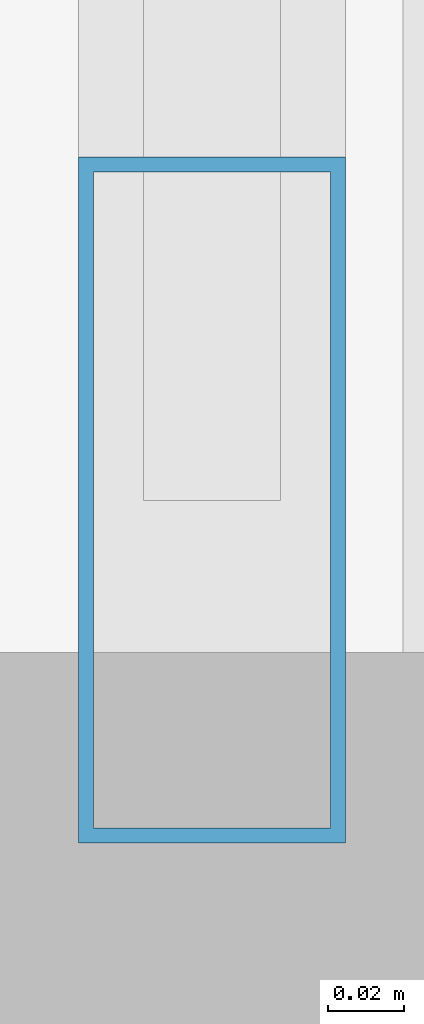
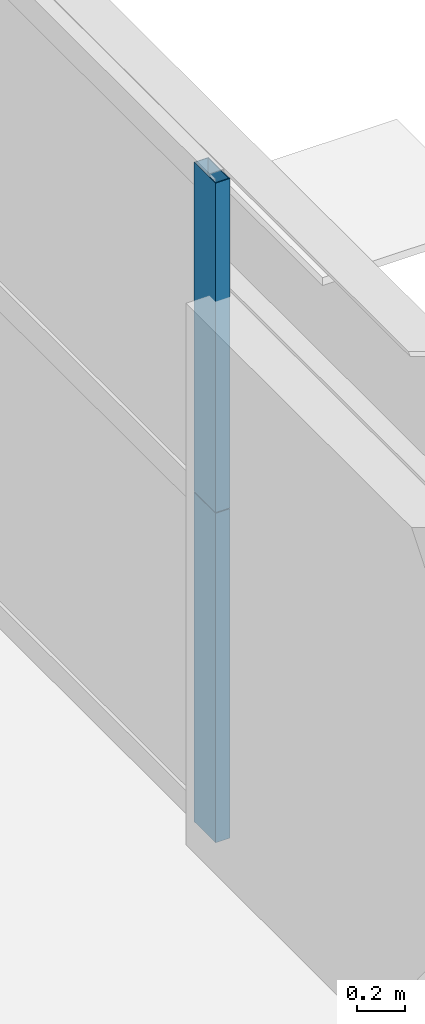
# One storey, part 17 of 43: 2 members, 1 element without a shape of its own.
"""IFC4 building model written with IfcOpenShell, lengths in metres."""

from ifc_helpers import new_model, si_unit, direction, frame, origin, origin_2d, place, context, subcontext, project, spatial, hollow_rectangle, extrude, source, transform, mapped, material, layer, layer_set, material_profile, profile_set, type_object, element, aggregate, save


model = new_model("IFC4")

# Units and contexts
model_context = context("Model", 3, precision=1e-05, world=origin(), true_north=direction((0.0, 1.0)))
body_context = subcontext(model_context, "Body", "Model", "MODEL_VIEW")
ifc_project = project(units=[si_unit("LENGTHUNIT", "METRE"), si_unit("AREAUNIT", "SQUARE_METRE"), si_unit("VOLUMEUNIT", "CUBIC_METRE"), si_unit("PLANEANGLEUNIT", "RADIAN"), si_unit("MASSUNIT", "GRAM", prefix="KILO"), si_unit("THERMODYNAMICTEMPERATUREUNIT", "KELVIN"), si_unit("POWERUNIT", "WATT")], contexts=[model_context])

# Site, building, storey
site_placement = place(None, origin())
site = spatial("IfcSite", under=ifc_project, at=site_placement, CompositionType="ELEMENT")
building_placement = place(site_placement, origin())
building = spatial("IfcBuilding", under=site, at=building_placement, Name="Yuzanri Waterfront Tower", CompositionType="ELEMENT")
storey_placement = place(building_placement, frame((0.0, 0.0, 64.0)))
storey = spatial("IfcBuildingStorey", under=building, at=storey_placement, Name="L16", CompositionType="ELEMENT", Elevation=64.0)

# Curtain wall, members
ifc_material_1 = material(Name="Anodized Architectural Bronze", Category="metal")
ifc_layer = layer(ifc_material_1, 0.159912109375)
ifc_layer_set = layer_set([ifc_layer], Name="Anodized Architectural Bronze")
curtain_wall_type = type_object("IfcCurtainWallType", Name="Anodized Bronze Hotel Lower-Tier Recessed Unitized Curtain Wall 8100", PredefinedType="NOTDEFINED", material=ifc_layer_set)
curtain_wall_placement = place(storey_placement, origin())
curtain_wall = element("IfcCurtainWall", 1, at=curtain_wall_placement, inside=storey, type_object=curtain_wall_type, Name="L16 Curtain Wall CW-L16-EL", PredefinedType="NOTDEFINED")
ifc_material_2 = material(Name="Anodized Architectural Bronze", Category="metal")
ifc_material_profile = material_profile(ifc_material_2, hollow_rectangle(XDim=0.070068359375, YDim=0.179931640625, WallThickness=0.00390625, at=origin_2d()), Name="CWM 70x180")
ifc_profile_set = profile_set([ifc_material_profile], Name="Anodized Architectural Bronze")
member_type = type_object("IfcMemberType", Name="Anodized Bronze Standard Curtain-Wall Mullion 70x180", PredefinedType="MULLION", material=ifc_profile_set)
shared_shape = source(origin(), body_context, "Body", "SweptSolid", [
    extrude(hollow_rectangle(XDim=0.070068359375, YDim=0.179931640625, WallThickness=0.00390625, at=origin_2d()), origin(), (0.0, 0.0, 1.0), 1.68798828125),
])
member_1_placement = place(storey_placement, frame((61.949951171875, 8.090087890625, 0.0), z_axis=(0.0, 0.0, 1.0), x_axis=(1.0, 0.0, 0.0)))
member_1 = element("IfcMember", 2, at=member_1_placement, type_object=member_type, Name="CW-L16-EL Lower Mullion 00", PredefinedType="MULLION", context=body_context, shape_type="MappedRepresentation", body=[
    mapped(shared_shape, transform((0.0, 0.0, 0.0), scale=1.0)),
])
member_2_placement = place(storey_placement, frame((61.949951171875, 8.090087890625, 1.69189453125), z_axis=(0.0, 0.0, 1.0), x_axis=(1.0, 0.0, 0.0)))
member_2 = element("IfcMember", 3, at=member_2_placement, type_object=member_type, Name="CW-L16-EL Upper Mullion 00", PredefinedType="MULLION", context=body_context, shape_type="MappedRepresentation", body=[
    mapped(shared_shape, transform((0.0, 0.0, 0.0), scale=1.0)),
])
aggregate(curtain_wall, [member_1, member_2])

save(model, "model.ifc")
